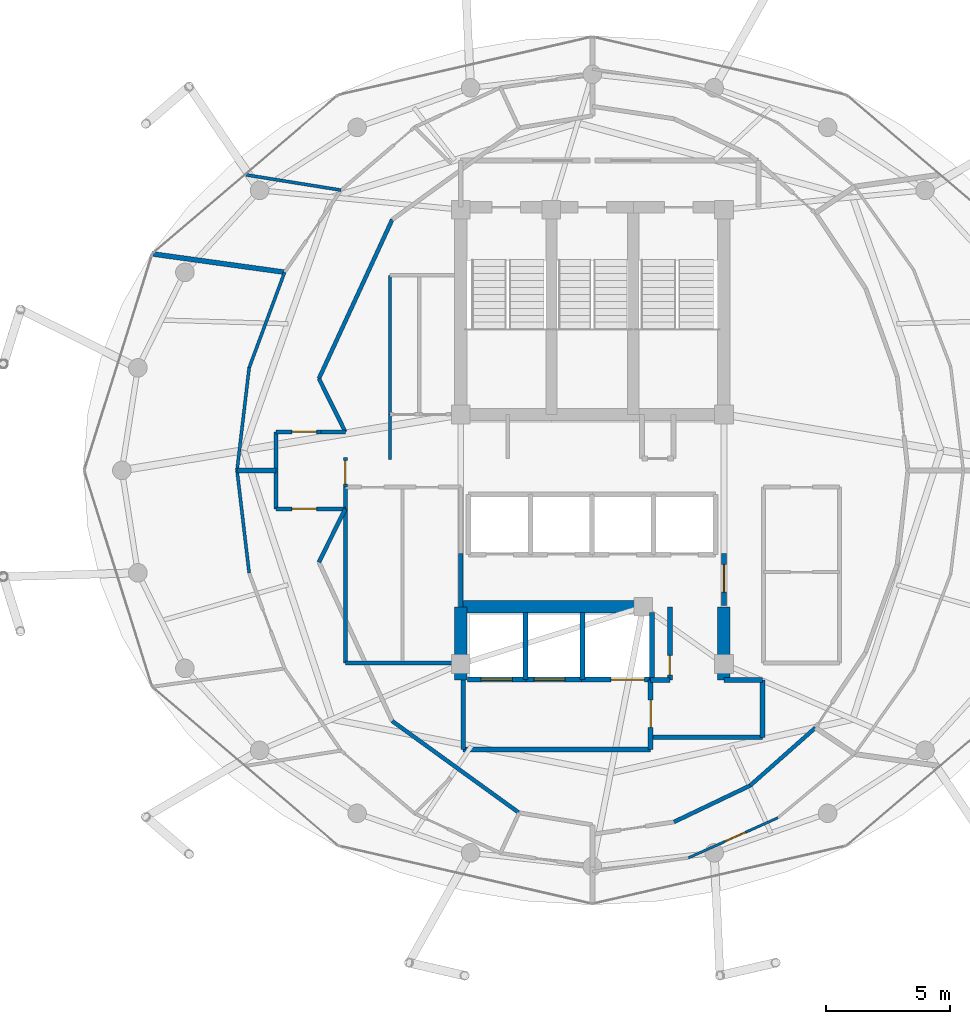
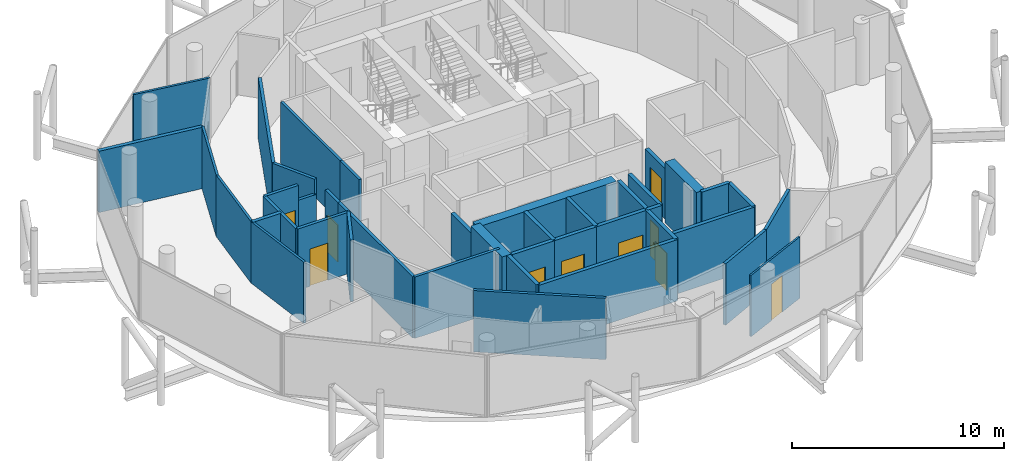
# One storey, part 20 of 24: 41 walls, 10 doors, 10 openings.
"""IFC4 building model written with IfcOpenShell, lengths in metres."""

import ifcopenshell
import ifcopenshell.guid

model = None  # the IFC model being written
_history = None  # IfcOwnerHistory: only IFC2X3 demands one
_inside = {}  # id of a spatial element -> (the spatial element, [elements in it])
_under = {}  # id of a project, library or spatial element -> (it, [spatial elements below it])
_declared = {}  # id of a project -> (the project, [libraries it declares])
_typed = {}  # id of a type object -> (the type object, [elements of that type])
_made_of = {}  # id of a material, layer set ... -> (it, [elements and type objects made of it])


def new_model(schema):
    """Start an empty IFC model of exactly this schema.

    Asked for "IFC4X3", IfcOpenShell would pick the latest addendum, in which some entities
    have other attributes; the version numbers below select the first issue.
    IFC2X3 requires an IfcOwnerHistory on every rooted entity: one is made here for all.
    """
    global model, _history
    if schema == "IFC4X3":
        model = ifcopenshell.file(schema_version=(4, 3, 0, 0))
    else:
        model = ifcopenshell.file(schema=schema)
    _inside.clear()
    _under.clear()
    _declared.clear()
    _typed.clear()
    _made_of.clear()
    _history = None
    if model.schema == "IFC2X3":
        org = make("IfcOrganization", Name="unknown")
        user = make(
            "IfcPersonAndOrganization",
            ThePerson=make("IfcPerson", FamilyName="unknown"),
            TheOrganization=org,
        )
        app = make(
            "IfcApplication",
            ApplicationDeveloper=org,
            Version="unknown",
            ApplicationFullName="unknown",
            ApplicationIdentifier="unknown",
        )
        _history = make(
            "IfcOwnerHistory",
            OwningUser=user,
            OwningApplication=app,
            ChangeAction="ADDED",
            CreationDate=0,
        )
    return model


def make(cls, **values):
    """One entity of the class cls with the attributes given. An attribute that is None is left unset."""
    return model.create_entity(
        cls, **{name: value for name, value in values.items() if value is not None}
    )


def rooted(cls, **values):
    """An entity with a GlobalId (a new one), such as an element, a storey or a relation."""
    return make(cls, GlobalId=ifcopenshell.guid.new(), OwnerHistory=_history, **values)


def si_unit(unit_type, name, prefix=None):
    """IfcSIUnit, for example si_unit("LENGTHUNIT", "METRE", prefix="MILLI")."""
    return make("IfcSIUnit", UnitType=unit_type, Prefix=prefix, Name=name)


def assignment(units):
    """IfcUnitAssignment: the units of a project."""
    return None if units is None else make("IfcUnitAssignment", Units=units)


def point(xyz):
    """IfcCartesianPoint."""
    return None if xyz is None else make("IfcCartesianPoint", Coordinates=xyz)


def direction(xyz):
    """IfcDirection."""
    return None if xyz is None else make("IfcDirection", DirectionRatios=xyz)


def frame(location, z_axis=None, x_axis=None):
    """IfcAxis2Placement3D, a coordinate frame: its origin and axes. An axis left out is left unset."""
    return make(
        "IfcAxis2Placement3D",
        Location=point(location),
        Axis=direction(z_axis),
        RefDirection=direction(x_axis),
    )


def frame_2d(location, x_axis=None):
    """IfcAxis2Placement2D, a coordinate frame in the plane: its origin and x axis."""
    return make(
        "IfcAxis2Placement2D", Location=point(location), RefDirection=direction(x_axis)
    )


def origin():
    """The frame at (0, 0, 0) with its axes left unset."""
    return frame((0.0, 0.0, 0.0))


def place(relative_to, where):
    """IfcLocalPlacement: puts the frame where relative to a parent placement (None: the world)."""
    return make(
        "IfcLocalPlacement", PlacementRelTo=relative_to, RelativePlacement=where
    )


def context(
    kind, dimensions, precision=None, world=None, true_north=None, identifier=None
):
    """IfcGeometricRepresentationContext, for example the 3D "Model" context."""
    return make(
        "IfcGeometricRepresentationContext",
        ContextIdentifier=identifier,
        ContextType=kind,
        CoordinateSpaceDimension=dimensions,
        Precision=precision,
        WorldCoordinateSystem=world,
        TrueNorth=true_north,
    )


def subcontext(parent, identifier, kind, view, scale=None):
    """IfcGeometricRepresentationSubContext, for example "Body" below "Model"."""
    return make(
        "IfcGeometricRepresentationSubContext",
        ContextIdentifier=identifier,
        ContextType=kind,
        ParentContext=parent,
        TargetScale=scale,
        TargetView=view,
    )


def project(units=None, contexts=None):
    """IfcProject with its units and contexts."""
    return rooted(
        "IfcProject",
        Name="project",
        RepresentationContexts=contexts,
        UnitsInContext=assignment(units),
    )


def spatial(cls, under=None, at=None, **own):
    """A site, building, storey or space (cls), placed at a placement, below another one or the project."""
    s = rooted(cls, ObjectPlacement=at, **own)
    if under is not None:
        _under.setdefault(under.id(), (under, []))[1].append(s)
    return s


def profile(cls, at=None, kind="AREA", **sizes):
    """A parametric profile (cls). Its sizes go by their IFC names, for example OverallWidth=200.0."""
    return make(cls, ProfileType=kind, Position=at, **sizes)


def rectangle(**sizes):
    """IfcRectangleProfileDef."""
    return profile("IfcRectangleProfileDef", **sizes)


def extrude(swept, where, along, depth):
    """IfcExtrudedAreaSolid: the profile swept, set in the frame where, extruded along a direction by depth."""
    return make(
        "IfcExtrudedAreaSolid",
        SweptArea=swept,
        Position=where,
        ExtrudedDirection=direction(along),
        Depth=depth,
    )


def shape(context_of_items, identifier, shape_type, items):
    """IfcShapeRepresentation: the items that make up one representation, for example the "Body"."""
    return make(
        "IfcShapeRepresentation",
        ContextOfItems=context_of_items,
        RepresentationIdentifier=identifier,
        RepresentationType=shape_type,
        Items=items,
    )


def material(Name=None, Category=None):
    """IfcMaterial."""
    return make("IfcMaterial", Name=Name, Category=Category)


def layer(
    of_material, thickness, ventilated=None, Name=None, Category=None, Priority=None
):
    """IfcMaterialLayer: one layer of a wall or slab, of a material (None: an air gap)."""
    return make(
        "IfcMaterialLayer",
        Material=of_material,
        LayerThickness=thickness,
        IsVentilated=ventilated,
        Name=Name,
        Category=Category,
        Priority=Priority,
    )


def layer_set(layers, Name=None):
    """IfcMaterialLayerSet."""
    return make("IfcMaterialLayerSet", MaterialLayers=layers, LayerSetName=Name)


def made_of(thing, what):
    """Note that an element or type object is made of a material, layer set ...; save() writes the relation."""
    if what is not None:
        _made_of.setdefault(what.id(), (what, []))[1].append(thing)
    return thing


def type_object(cls, material=None, **own):
    """A type object (cls), such as IfcWallType, which elements share."""
    return made_of(rooted(cls, **own), material)


def element(
    cls,
    number,
    at=None,
    inside=None,
    cuts=None,
    type_object=None,
    material=None,
    context=None,
    identifier="Body",
    shape_type=None,
    held_by="IfcProductDefinitionShape",
    body=None,
    shapes=None,
    **own,
):
    """One element of the class cls, such as IfcWall. Its Tag is "e" and its number.

    at: its placement. inside: the storey or other place that contains it. cuts: it is an
    opening in that element (IfcRelVoidsElement). A single representation is given by context,
    identifier, shape_type and body (its items); several are given by shapes. held_by: the class
    of the entity that holds the representations. save() writes the other relations.
    """
    e = rooted(cls, Tag="e%d" % number, ObjectPlacement=at, **own)
    if body is not None:
        shapes = [shape(context, identifier, shape_type, body)]
    if shapes is not None:
        e.Representation = make(held_by, Representations=shapes)
    if inside is not None:
        _inside.setdefault(inside.id(), (inside, []))[1].append(e)
    if cuts is not None:
        rooted(
            "IfcRelVoidsElement", RelatingBuildingElement=cuts, RelatedOpeningElement=e
        )
    if type_object is not None:
        _typed.setdefault(type_object.id(), (type_object, []))[1].append(e)
    return made_of(e, material)


def fill(opening, filler):
    """IfcRelFillsElement: the door or window that sits in an opening."""
    return rooted(
        "IfcRelFillsElement",
        RelatingOpeningElement=opening,
        RelatedBuildingElement=filler,
    )


def aggregate(whole, parts):
    """IfcRelAggregates: a whole, such as a stair, and the parts it consists of."""
    return rooted("IfcRelAggregates", RelatingObject=whole, RelatedObjects=parts)


def save(model, path):
    """Write the relations noted so far, then the file.

    IfcRelAggregates (storeys below a building ...), IfcRelContainedInSpatialStructure (elements
    in a storey), IfcRelDefinesByType, IfcRelAssociatesMaterial and IfcRelDeclares: one each for
    every whole, place, type object, material and project.
    """
    for whole, parts in _under.values():
        aggregate(whole, parts)
    for where, things in _inside.values():
        rooted(
            "IfcRelContainedInSpatialStructure",
            RelatedElements=things,
            RelatingStructure=where,
        )
    for kind, things in _typed.values():
        rooted("IfcRelDefinesByType", RelatedObjects=things, RelatingType=kind)
    for what, things in _made_of.values():
        rooted("IfcRelAssociatesMaterial", RelatedObjects=things, RelatingMaterial=what)
    for by, libraries in _declared.values():
        rooted("IfcRelDeclares", RelatingContext=by, RelatedDefinitions=libraries)
    model.write(path)


model = new_model("IFC4")

# Units and contexts
model_context = context("Model", 3, precision=1e-05, world=origin(), true_north=direction((0.0, 1.0)))
body_context = subcontext(model_context, "Body", "Model", "MODEL_VIEW")
ifc_project = project(units=[si_unit("LENGTHUNIT", "METRE"), si_unit("AREAUNIT", "SQUARE_METRE"), si_unit("VOLUMEUNIT", "CUBIC_METRE"), si_unit("PLANEANGLEUNIT", "RADIAN"), si_unit("MASSUNIT", "GRAM", prefix="KILO")], contexts=[model_context])

# Site, building, storey
site_placement = place(None, origin())
site = spatial("IfcSite", under=ifc_project, at=site_placement, CompositionType="ELEMENT")
building_placement = place(site_placement, origin())
building = spatial("IfcBuilding", under=site, at=building_placement, Name="Nuhasar Tower", CompositionType="ELEMENT")
storey_placement = place(building_placement, frame((0.0, 0.0, 274.60009765625)))
storey = spatial("IfcBuildingStorey", under=building, at=storey_placement, Name="L68", CompositionType="ELEMENT", Elevation=274.60009765625)

# Walls
ifc_material_1 = material(Name="Concrete C50/60", Category="concrete")
ifc_layer_1 = layer(ifc_material_1, 0.5)
ifc_layer_set_1 = layer_set([ifc_layer_1], Name="Concrete C50/60")
wall_type_1 = type_object("IfcWallType", Name="WL-CORE-500", PredefinedType="SHEAR", material=ifc_layer_set_1)
for number, where, z_axis, x_axis, name in (
    (1, (33.699951171875, 18.35009765625, 0.0), (0.0, 0.0, 1.0), (0.0, 1.0, 0.0), "L68 Core Shear Wall CW-SW CW-500"),
    (2, (44.300048828125, 18.35009765625, 0.0), (0.0, 0.0, 1.0), (0.0, 1.0, 0.0), "L68 Core Shear Wall CW-SE CW-500"),
):
    element("IfcWall", number, at=place(storey_placement, frame(where, z_axis=z_axis, x_axis=x_axis)), inside=storey, type_object=wall_type_1, Name=name, PredefinedType="SHEAR", context=body_context, shape_type="SweptSolid", body=[
        extrude(rectangle(XDim=2.949951171875, YDim=0.5, at=frame_2d((1.47509765625, 0.0))), origin(), (0.0, 0.0, 1.0), 3.539794921875),
    ])
wall_1_placement = place(storey_placement, frame((33.699951171875, 21.300048828125, 0.0), z_axis=(0.0, 0.0, 1.0), x_axis=(1.0, 0.0, 0.0)))
element("IfcWall", 3, at=wall_1_placement, inside=storey, type_object=wall_type_1, Name="L68 Core Shear Wall CW-S1 CW-500", PredefinedType="SHEAR", context=body_context, shape_type="SweptSolid", body=[
    extrude(rectangle(XDim=7.550048828125, YDim=0.5, at=frame_2d((3.77490234375, 0.0))), origin(), (0.0, 0.0, 1.0), 3.539794921875),
])
ifc_material_2 = material(Name="Gypsum Board", Category="gypsum")
ifc_layer_2 = layer(ifc_material_2, 0.159912109375)
ifc_layer_set_2 = layer_set([ifc_layer_2], Name="Gypsum Board")
wall_type_2 = type_object("IfcWallType", Name="WL-CORR-160", PredefinedType="PARTITIONING", material=ifc_layer_set_2)
wall_2_placement = place(storey_placement, frame((29.050048828125, 19.050048828125, 0.0), z_axis=(0.0, 0.0, 1.0), x_axis=(1.0, 0.0, 0.0)))
element("IfcWall", 4, at=wall_2_placement, inside=storey, type_object=wall_type_2, Name="L68 Interior Partition RECL-B1-S", PredefinedType="PARTITIONING", context=body_context, shape_type="SweptSolid", body=[
    extrude(rectangle(XDim=4.64990234375, YDim=0.159912109375, at=frame_2d((2.324951171875, 0.0))), origin(), (0.0, 0.0, 1.0), 3.539794921875),
])
wall_3_placement = place(storey_placement, frame((29.050048828125, 19.050048828125, 0.0), z_axis=(0.0, 0.0, 1.0), x_axis=(0.0, 1.0, 0.0)))
element("IfcWall", 5, at=wall_3_placement, inside=storey, type_object=wall_type_2, Name="L68 Interior Partition RECL-B1-W", PredefinedType="PARTITIONING", context=body_context, shape_type="SweptSolid", body=[
    extrude(rectangle(XDim=7.070068359375, YDim=0.159912109375, at=frame_2d((3.53515625, 0.0))), origin(), (0.0, 0.0, 1.0), 3.539794921875),
])

# Wall, opening, door
wall_4_placement = place(storey_placement, frame((29.050048828125, 26.1201171875, 0.0), z_axis=(0.0, 0.0, 1.0), x_axis=(0.0, 1.0, 0.0)))
wall_4 = element("IfcWall", 6, at=wall_4_placement, inside=storey, type_object=wall_type_2, Name="L68 Interior Partition WVEST-E", PredefinedType="PARTITIONING", context=body_context, shape_type="SweptSolid", body=[
    extrude(rectangle(XDim=1.199951171875, YDim=0.159912109375, at=frame_2d((0.60009765625, 0.0))), origin(), (0.0, 0.0, 1.0), 3.539794921875),
])
opening_1_placement = place(wall_4_placement, frame((0.125, 0.0, 0.0)))
opening_1 = element("IfcOpeningElement", 7, at=opening_1_placement, cuts=wall_4, Name="Opening DO-01", PredefinedType="OPENING", context=body_context, shape_type="SweptSolid", body=[
    extrude(rectangle(XDim=0.949951171875, YDim=2.14990234375, at=frame_2d((0.47509765625, 1.074951171875))), frame((0.0, 0.08984375, 0.0), z_axis=(0.0, -1.0, 0.0), x_axis=(1.0, 0.0, 0.0)), (0.0, 0.0, 1.0), 0.179931640625),
])
ifc_material_3 = material(Name="Timber Oak", Category="wood")
door_type_1 = type_object("IfcDoorType", Name="DR-OFFICE-FD30-950", OperationType="NOTDEFINED", PredefinedType="DOOR", material=ifc_material_3)
door_1_placement = place(opening_1_placement, origin())
door_1 = element("IfcDoor", 8, at=door_1_placement, inside=storey, type_object=door_type_1, Name="L68 West Arrival Foyer Core Door", OperationType="SINGLE_SWING_RIGHT", OverallHeight=2.14990234375, OverallWidth=0.949951171875, PredefinedType="DOOR", context=body_context, shape_type="SweptSolid", body=[
    extrude(rectangle(XDim=0.949951171875, YDim=2.14990234375, at=frame_2d((0.47509765625, 1.074951171875))), frame((0.0, 0.02490234375, 0.0), z_axis=(0.0, -1.0, 0.0), x_axis=(1.0, 0.0, 0.0)), (0.0, 0.0, 1.0), 0.050048828125),
])
fill(opening_1, door_1)

# Walls
wall_5_placement = place(storey_placement, frame((42.2900390625, 12.639892578125, 0.0), z_axis=(0.0, 0.0, 1.0), x_axis=(0.902332393805, 0.431040892596, 0.0)))
element("IfcWall", 9, at=wall_5_placement, inside=storey, type_object=wall_type_2, Name="L68 Interior Partition CORR-38", PredefinedType="PARTITIONING", context=body_context, shape_type="SweptSolid", body=[
    extrude(rectangle(XDim=3.396728515625, YDim=0.159912109375, at=frame_2d((1.6982421875, 0.0))), origin(), (0.0, 0.0, 1.0), 3.539794921875),
])
wall_6_placement = place(storey_placement, frame((45.35498046875, 14.10400390625, 0.0), z_axis=(0.0, 0.0, 1.0), x_axis=(0.748756574311, 0.662845074226, 0.0)))
element("IfcWall", 10, at=wall_6_placement, inside=storey, type_object=wall_type_2, Name="L68 Interior Partition CORR-40", PredefinedType="PARTITIONING", context=body_context, shape_type="SweptSolid", body=[
    extrude(rectangle(XDim=3.515380859375, YDim=0.159912109375, at=frame_2d((1.7578125, 0.0))), origin(), (0.0, 0.0, 1.0), 3.539794921875),
])
wall_7_placement = place(storey_placement, frame((30.93896484375, 36.89697265625, 0.0), z_axis=(0.0, 0.0, 1.0), x_axis=(-0.41866934876, -0.908138742929, 0.0)))
element("IfcWall", 11, at=wall_7_placement, inside=storey, type_object=wall_type_2, Name="L68 Interior Partition UWEST-CORE-N2-18", PredefinedType="PARTITIONING", context=body_context, shape_type="SweptSolid", body=[
    extrude(rectangle(XDim=7.04833984375, YDim=0.159912109375, at=frame_2d((3.524169921875, 0.0))), origin(), (0.0, 0.0, 1.0), 3.539794921875),
])
wall_8_placement = place(storey_placement, frame((30.93896484375, 16.702880859375, 0.0), z_axis=(0.0, 0.0, 1.0), x_axis=(0.810290119061, -0.586028943784, 0.0)))
element("IfcWall", 12, at=wall_8_placement, inside=storey, type_object=wall_type_2, Name="L68 Interior Partition UWEST-CORE-S1-30", PredefinedType="PARTITIONING", context=body_context, shape_type="SweptSolid", body=[
    extrude(rectangle(XDim=6.306396484375, YDim=0.159912109375, at=frame_2d((3.1533203125, 0.0))), origin(), (0.0, 0.0, 1.0), 3.539794921875),
])

# Wall, opening, door
wall_9_placement = place(storey_placement, frame((26.25, 28.35009765625, 0.0), z_axis=(0.0, 0.0, 1.0), x_axis=(1.0, 0.0, 0.0)))
wall_9 = element("IfcWall", 13, at=wall_9_placement, inside=storey, type_object=wall_type_2, Name="L68 Interior Partition WVEST-N", PredefinedType="PARTITIONING", context=body_context, shape_type="SweptSolid", body=[
    extrude(rectangle(XDim=1.820068359375, YDim=0.159912109375, at=frame_2d((0.91015625, 0.0))), origin(), (0.0, 0.0, 1.0), 3.539794921875),
])
opening_2_placement = place(wall_9_placement, frame((0.64990234375, 0.0, 0.0)))
opening_2 = element("IfcOpeningElement", 14, at=opening_2_placement, cuts=wall_9, Name="Opening DU-02", PredefinedType="OPENING", context=body_context, shape_type="SweptSolid", body=[
    extrude(rectangle(XDim=1.0, YDim=2.14990234375, at=frame_2d((0.5, 1.074951171875))), frame((0.0, 0.08984375, 0.0), z_axis=(0.0, -1.0, 0.0), x_axis=(1.0, 0.0, 0.0)), (0.0, 0.0, 1.0), 0.179931640625),
])
door_type_2 = type_object("IfcDoorType", Name="DR-FLAT-FD60-1000", OperationType="NOTDEFINED", PredefinedType="DOOR", material=ifc_material_3)
door_2_placement = place(opening_2_placement, origin())
door_2 = element("IfcDoor", 15, at=door_2_placement, inside=storey, type_object=door_type_2, Name="L68 North-West Sky Home Entrance", OperationType="SINGLE_SWING_LEFT", OverallHeight=2.14990234375, OverallWidth=1.0, PredefinedType="DOOR", context=body_context, shape_type="SweptSolid", body=[
    extrude(rectangle(XDim=1.0, YDim=2.14990234375, at=frame_2d((0.5, 1.074951171875))), frame((0.0, 0.02490234375, 0.0), z_axis=(0.0, -1.0, 0.0), x_axis=(1.0, 0.0, 0.0)), (0.0, 0.0, 1.0), 0.050048828125),
])
fill(opening_2, door_2)

# Wall
wall_10_placement = place(storey_placement, frame((28.070068359375, 28.35009765625, 0.0), z_axis=(0.0, 0.0, 1.0), x_axis=(1.0, 0.0, 0.0)))
element("IfcWall", 16, at=wall_10_placement, inside=storey, type_object=wall_type_2, Name="L68 Interior Partition WVEST-N", PredefinedType="PARTITIONING", context=body_context, shape_type="SweptSolid", body=[
    extrude(rectangle(XDim=0.97998046875, YDim=0.159912109375, at=frame_2d((0.489990234375, 0.0))), origin(), (0.0, 0.0, 1.0), 2.679931640625),
])

# Wall, opening, door
wall_11_placement = place(storey_placement, frame((26.25, 25.25, 0.0), z_axis=(0.0, 0.0, 1.0), x_axis=(1.0, 0.0, 0.0)))
wall_11 = element("IfcWall", 17, at=wall_11_placement, inside=storey, type_object=wall_type_2, Name="L68 Interior Partition WVEST-S", PredefinedType="PARTITIONING", context=body_context, shape_type="SweptSolid", body=[
    extrude(rectangle(XDim=2.800048828125, YDim=0.159912109375, at=frame_2d((1.39990234375, 0.0))), origin(), (0.0, 0.0, 1.0), 3.539794921875),
])
opening_3_placement = place(wall_11_placement, frame((0.64990234375, 0.0, 0.0)))
opening_3 = element("IfcOpeningElement", 18, at=opening_3_placement, cuts=wall_11, Name="Opening DU-02", PredefinedType="OPENING", context=body_context, shape_type="SweptSolid", body=[
    extrude(rectangle(XDim=1.0, YDim=2.14990234375, at=frame_2d((0.5, 1.074951171875))), frame((0.0, 0.08984375, 0.0), z_axis=(0.0, -1.0, 0.0), x_axis=(1.0, 0.0, 0.0)), (0.0, 0.0, 1.0), 0.179931640625),
])
door_3_placement = place(opening_3_placement, origin())
door_3 = element("IfcDoor", 19, at=door_3_placement, inside=storey, type_object=door_type_2, Name="L68 South-West Sky Home Entrance", OperationType="SINGLE_SWING_LEFT", OverallHeight=2.14990234375, OverallWidth=1.0, PredefinedType="DOOR", context=body_context, shape_type="SweptSolid", body=[
    extrude(rectangle(XDim=1.0, YDim=2.14990234375, at=frame_2d((0.5, 1.074951171875))), frame((0.0, 0.02490234375, 0.0), z_axis=(0.0, -1.0, 0.0), x_axis=(1.0, 0.0, 0.0)), (0.0, 0.0, 1.0), 0.050048828125),
])
fill(opening_3, door_3)

# Walls
wall_12_placement = place(storey_placement, frame((26.25, 25.25, 0.0), z_axis=(0.0, 0.0, 1.0), x_axis=(0.0, 1.0, 0.0)))
element("IfcWall", 20, at=wall_12_placement, inside=storey, type_object=wall_type_2, Name="L68 Interior Partition WVEST-W", PredefinedType="PARTITIONING", context=body_context, shape_type="SweptSolid", body=[
    extrude(rectangle(XDim=3.10009765625, YDim=0.159912109375, at=frame_2d((1.550048828125, 0.0))), origin(), (0.0, 0.0, 1.0), 3.539794921875),
])
for number, where, z_axis, x_axis, name in (
    (21, (27.988037109375, 30.49609375, 0.0), (0.0, 0.0, 1.0), (0.443539160525, -0.896254993337, 0.0), "L68 Interior Partition WVEST-CN"),
    (22, (27.988037109375, 23.10400390625, 0.0), (0.0, 0.0, 1.0), (0.443539160525, 0.896254993337, 0.0), "L68 Interior Partition WVEST-CS"),
):
    element("IfcWall", number, at=place(storey_placement, frame(where, z_axis=z_axis, x_axis=x_axis)), inside=storey, type_object=wall_type_2, Name=name, PredefinedType="PARTITIONING", context=body_context, shape_type="SweptSolid", body=[
        extrude(rectangle(XDim=2.394287109375, YDim=0.159912109375, at=frame_2d((1.197265625, 0.0))), origin(), (0.0, 0.0, 1.0), 3.539794921875),
    ])
ifc_material_4 = material(Name="Concrete C45/55", Category="concrete")
ifc_layer_3 = layer(ifc_material_4, 0.199951171875)
ifc_layer_set_3 = layer_set([ifc_layer_3], Name="Concrete C45/55")
wall_type_3 = type_object("IfcWallType", Name="WL-LOBBY-200", PredefinedType="SOLIDWALL", material=ifc_layer_set_3)
wall_13_placement = place(storey_placement, frame((33.699951171875, 21.300048828125, 0.0), z_axis=(0.0, 0.0, 1.0), x_axis=(0.0, 1.0, 0.0)))
element("IfcWall", 23, at=wall_13_placement, inside=storey, type_object=wall_type_3, Name="L68 Interior Partition LLBH-W", PredefinedType="SOLIDWALL", context=body_context, shape_type="SweptSolid", body=[
    extrude(rectangle(XDim=2.14990234375, YDim=0.199951171875, at=frame_2d((1.074951171875, 0.0))), origin(), (0.0, 0.0, 1.0), 2.9248046875),
])

# Wall, opening, door
wall_14_placement = place(storey_placement, frame((44.300048828125, 21.35009765625, 0.0), z_axis=(0.0, 0.0, 1.0), x_axis=(0.0, 1.0, 0.0)))
wall_14 = element("IfcWall", 24, at=wall_14_placement, inside=storey, type_object=wall_type_3, Name="L68 Interior Partition LLBH-E", PredefinedType="SOLIDWALL", context=body_context, shape_type="SweptSolid", body=[
    extrude(rectangle(XDim=2.099853515625, YDim=0.199951171875, at=frame_2d((1.0498046875, 0.0))), origin(), (0.0, 0.0, 1.0), 2.9248046875),
])
opening_4_placement = place(wall_14_placement, frame((0.550048828125, 0.0, 0.0)))
opening_4 = element("IfcOpeningElement", 25, at=opening_4_placement, cuts=wall_14, Name="Opening DS-02", PredefinedType="OPENING", context=body_context, shape_type="SweptSolid", body=[
    extrude(rectangle(XDim=1.10009765625, YDim=2.14990234375, at=frame_2d((0.550048828125, 1.074951171875))), frame((0.0, 0.10986328125, 0.0), z_axis=(0.0, -1.0, 0.0), x_axis=(1.0, 0.0, 0.0)), (0.0, 0.0, 1.0), 0.219970703125),
])
ifc_material_5 = material(Name="Steel S355", Category="steel")
door_type_3 = type_object("IfcDoorType", Name="DR-FFL-FD120-1100", OperationType="NOTDEFINED", PredefinedType="DOOR", material=ifc_material_5)
door_4_placement = place(opening_4_placement, origin())
door_4 = element("IfcDoor", 26, at=door_4_placement, inside=storey, type_object=door_type_3, Name="L68 High-Rise Lobby East Door", OperationType="SINGLE_SWING_RIGHT", OverallHeight=2.14990234375, OverallWidth=1.10009765625, PredefinedType="DOOR", context=body_context, shape_type="SweptSolid", body=[
    extrude(rectangle(XDim=1.10009765625, YDim=2.14990234375, at=frame_2d((0.550048828125, 1.074951171875))), frame((0.0, 0.02490234375, 0.0), z_axis=(0.0, -1.0, 0.0), x_axis=(1.0, 0.0, 0.0)), (0.0, 0.0, 1.0), 0.050048828125),
])
fill(opening_4, door_4)

# Walls
wall_15_placement = place(storey_placement, frame((33.800048828125, 15.550048828125, 0.0), z_axis=(0.0, 0.0, 1.0), x_axis=(1.0, 0.0, 0.0)))
element("IfcWall", 27, at=wall_15_placement, inside=storey, type_object=wall_type_3, Name="L68 Interior Partition FFL-S", PredefinedType="SOLIDWALL", context=body_context, shape_type="SweptSolid", body=[
    extrude(rectangle(XDim=7.550048828125, YDim=0.199951171875, at=frame_2d((3.77490234375, 0.0))), origin(), (0.0, 0.0, 1.0), 3.539794921875),
])
wall_16_placement = place(storey_placement, frame((33.800048828125, 15.550048828125, 0.0), z_axis=(0.0, 0.0, 1.0), x_axis=(0.0, 1.0, 0.0)))
element("IfcWall", 28, at=wall_16_placement, inside=storey, type_object=wall_type_3, Name="L68 Interior Partition FFL-W", PredefinedType="SOLIDWALL", context=body_context, shape_type="SweptSolid", body=[
    extrude(rectangle(XDim=2.800048828125, YDim=0.199951171875, at=frame_2d((1.39990234375, 0.0))), origin(), (0.0, 0.0, 1.0), 3.539794921875),
])

# Wall, opening, door
wall_17_placement = place(storey_placement, frame((41.35009765625, 15.550048828125, 0.0), z_axis=(0.0, 0.0, 1.0), x_axis=(0.0, 1.0, 0.0)))
wall_17 = element("IfcWall", 29, at=wall_17_placement, inside=storey, type_object=wall_type_3, Name="L68 Interior Partition FFL-E", PredefinedType="SOLIDWALL", context=body_context, shape_type="SweptSolid", body=[
    extrude(rectangle(XDim=2.800048828125, YDim=0.199951171875, at=frame_2d((1.39990234375, 0.0))), origin(), (0.0, 0.0, 1.0), 3.539794921875),
])
opening_5_placement = place(wall_17_placement, frame((0.89990234375, 0.0, 0.0)))
opening_5 = element("IfcOpeningElement", 30, at=opening_5_placement, cuts=wall_17, Name="Opening DS-02", PredefinedType="OPENING", context=body_context, shape_type="SweptSolid", body=[
    extrude(rectangle(XDim=1.10009765625, YDim=2.14990234375, at=frame_2d((0.550048828125, 1.074951171875))), frame((0.0, 0.10986328125, 0.0), z_axis=(0.0, -1.0, 0.0), x_axis=(1.0, 0.0, 0.0)), (0.0, 0.0, 1.0), 0.219970703125),
])
door_5_placement = place(opening_5_placement, origin())
door_5 = element("IfcDoor", 31, at=door_5_placement, inside=storey, type_object=door_type_3, Name="L68 Firefighting Lobby Door", OperationType="SINGLE_SWING_RIGHT", OverallHeight=2.14990234375, OverallWidth=1.10009765625, PredefinedType="DOOR", context=body_context, shape_type="SweptSolid", body=[
    extrude(rectangle(XDim=1.10009765625, YDim=2.14990234375, at=frame_2d((0.550048828125, 1.074951171875))), frame((0.0, 0.02490234375, 0.0), z_axis=(0.0, -1.0, 0.0), x_axis=(1.0, 0.0, 0.0)), (0.0, 0.0, 1.0), 0.050048828125),
])
fill(opening_5, door_5)

# Walls
wall_18_placement = place(storey_placement, frame((41.35009765625, 16.050048828125, 0.0), z_axis=(0.0, 0.0, 1.0), x_axis=(1.0, 0.0, 0.0)))
element("IfcWall", 32, at=wall_18_placement, inside=storey, type_object=wall_type_3, Name="L68 Interior Partition SVLV-S", PredefinedType="SOLIDWALL", context=body_context, shape_type="SweptSolid", body=[
    extrude(rectangle(XDim=4.5, YDim=0.199951171875, at=frame_2d((2.25, 0.0))), origin(), (0.0, 0.0, 1.0), 3.539794921875),
])
wall_19_placement = place(storey_placement, frame((45.85009765625, 16.050048828125, 0.0), z_axis=(0.0, 0.0, 1.0), x_axis=(0.0, 1.0, 0.0)))
element("IfcWall", 33, at=wall_19_placement, inside=storey, type_object=wall_type_3, Name="L68 Interior Partition SVLV-E", PredefinedType="SOLIDWALL", context=body_context, shape_type="SweptSolid", body=[
    extrude(rectangle(XDim=2.300048828125, YDim=0.199951171875, at=frame_2d((1.14990234375, 0.0))), origin(), (0.0, 0.0, 1.0), 3.539794921875),
])
wall_20_placement = place(storey_placement, frame((44.300048828125, 18.35009765625, 0.0), z_axis=(0.0, 0.0, 1.0), x_axis=(1.0, 0.0, 0.0)))
element("IfcWall", 34, at=wall_20_placement, inside=storey, type_object=wall_type_3, Name="L68 Interior Partition SVLV-N", PredefinedType="SOLIDWALL", context=body_context, shape_type="SweptSolid", body=[
    extrude(rectangle(XDim=1.550048828125, YDim=0.199951171875, at=frame_2d((0.77490234375, 0.0))), origin(), (0.0, 0.0, 1.0), 3.539794921875),
])

# Wall, opening, door
ifc_material_6 = material(Name="Aluminium 6063-T6", Category="aluminium")
ifc_layer_4 = layer(ifc_material_6, 0.10009765625)
ifc_layer_set_4 = layer_set([ifc_layer_4], Name="Aluminium 6063-T6")
wall_type_4 = type_object("IfcWallType", Name="WL-MOVABLE-100", PredefinedType="MOVABLE", material=ifc_layer_set_4)
wall_21_placement = place(storey_placement, frame((42.866943359375, 11.19091796875, 0.0), z_axis=(0.0, 0.0, 1.0), x_axis=(0.912616745569, 0.408816188166, 0.0)))
wall_21 = element("IfcWall", 35, at=wall_21_placement, inside=storey, type_object=wall_type_4, Name="L68 Interior Partition UMID5-01-38", PredefinedType="MOVABLE", context=body_context, shape_type="SweptSolid", body=[
    extrude(rectangle(XDim=3.947998046875, YDim=0.10009765625, at=frame_2d((1.97412109375, 0.0))), origin(), (0.0, 0.0, 1.0), 3.539794921875),
])
opening_6_placement = place(wall_21_placement, frame((1.6259765625, 0.0, 0.0)))
opening_6 = element("IfcOpeningElement", 36, at=opening_6_placement, cuts=wall_21, Name="Opening DR-01", PredefinedType="OPENING", context=body_context, shape_type="SweptSolid", body=[
    extrude(rectangle(XDim=0.89990234375, YDim=2.10009765625, at=frame_2d((0.449951171875, 1.050048828125))), frame((0.0, 0.06005859375, 0.0), z_axis=(0.0, -1.0, 0.0), x_axis=(1.0, 0.0, 0.0)), (0.0, 0.0, 1.0), 0.1201171875),
])
door_type_4 = type_object("IfcDoorType", Name="DR-ROOM-900", OperationType="NOTDEFINED", PredefinedType="DOOR", material=ifc_material_3)
door_6_placement = place(opening_6_placement, origin())
door_6 = element("IfcDoor", 37, at=door_6_placement, inside=storey, type_object=door_type_4, Name="L68 Private Chancellery Office 1 Inner Door", OperationType="SINGLE_SWING_RIGHT", OverallHeight=2.10009765625, OverallWidth=0.89990234375, PredefinedType="DOOR", context=body_context, shape_type="SweptSolid", body=[
    extrude(rectangle(XDim=0.89990234375, YDim=2.10009765625, at=frame_2d((0.449951171875, 1.050048828125))), frame((0.0, 0.02490234375, 0.0), z_axis=(0.0, -1.0, 0.0), x_axis=(1.0, 0.0, 0.0)), (0.0, 0.0, 1.0), 0.050048828125),
])
fill(opening_6, door_6)

# Walls
ifc_layer_5 = layer(ifc_material_2, 0.125)
ifc_layer_set_5 = layer_set([ifc_layer_5], Name="Gypsum Board")
wall_type_5 = type_object("IfcWallType", Name="WL-PART-125", PredefinedType="PARTITIONING", material=ifc_layer_set_5)
wall_22_placement = place(storey_placement, frame((26.60693359375, 34.780029296875, 0.0), z_axis=(0.0, 0.0, 1.0), x_axis=(-0.348032750503, -0.937482375609, 0.0)))
element("IfcWall", 38, at=wall_22_placement, inside=storey, type_object=wall_type_5, Name="L68 Interior Partition USM-1-D-20", PredefinedType="PARTITIONING", context=body_context, shape_type="SweptSolid", body=[
    extrude(rectangle(XDim=4.105712890625, YDim=0.125, at=frame_2d((2.052734375, 0.0))), origin(), (0.0, 0.0, 1.0), 3.539794921875),
])
wall_23_placement = place(storey_placement, frame((25.177978515625, 30.930908203125, 0.0), z_axis=(0.0, 0.0, 1.0), x_axis=(-0.117328208879, -0.993093193714, 0.0)))
element("IfcWall", 39, at=wall_23_placement, inside=storey, type_object=wall_type_5, Name="L68 Interior Partition USM-1-D-22", PredefinedType="PARTITIONING", context=body_context, shape_type="SweptSolid", body=[
    extrude(rectangle(XDim=4.15966796875, YDim=0.125, at=frame_2d((2.079833984375, 0.0))), origin(), (0.0, 0.0, 1.0), 3.539794921875),
])
wall_24_placement = place(storey_placement, frame((28.881103515625, 38.0849609375, 0.0), z_axis=(0.0, 0.0, 1.0), x_axis=(-0.987319807671, 0.158743810525, 0.0)))
element("IfcWall", 40, at=wall_24_placement, inside=storey, type_object=wall_type_5, Name="L68 Interior Partition USO-1-BD", PredefinedType="PARTITIONING", context=body_context, shape_type="SweptSolid", body=[
    extrude(rectangle(XDim=3.88037109375, YDim=0.125, at=frame_2d((1.940185546875, 0.0))), origin(), (0.0, 0.0, 1.0), 3.539794921875),
])
wall_25_placement = place(storey_placement, frame((24.68994140625, 26.800048828125, 0.0), z_axis=(0.0, 0.0, 1.0), x_axis=(0.11732137044, -0.993094001612, 0.0)))
element("IfcWall", 41, at=wall_25_placement, inside=storey, type_object=wall_type_5, Name="L68 Interior Partition USM-2-D-24", PredefinedType="PARTITIONING", context=body_context, shape_type="SweptSolid", body=[
    extrude(rectangle(XDim=4.159912109375, YDim=0.125, at=frame_2d((2.080078125, 0.0))), origin(), (0.0, 0.0, 1.0), 3.539794921875),
])

# Wall, opening, door
ifc_layer_6 = layer(ifc_material_4, 0.199951171875)
ifc_layer_set_6 = layer_set([ifc_layer_6], Name="Concrete C45/55")
wall_type_6 = type_object("IfcWallType", Name="WL-SHAFT-200", PredefinedType="SOLIDWALL", material=ifc_layer_set_6)
wall_26_placement = place(storey_placement, frame((33.969970703125, 18.3701171875, 0.0), z_axis=(0.0, 0.0, 1.0), x_axis=(1.0, 0.0, 0.0)))
wall_26 = element("IfcWall", 42, at=wall_26_placement, inside=storey, type_object=wall_type_6, Name="L68 Interior Partition SHF-FFL-01-S", PredefinedType="SOLIDWALL", context=body_context, shape_type="SweptSolid", body=[
    extrude(rectangle(XDim=2.360107421875, YDim=0.199951171875, at=frame_2d((1.18017578125, 0.0))), origin(), (0.0, 0.0, 1.0), 3.539794921875),
])
opening_7_placement = place(wall_26_placement, frame((0.554931640625, 0.0, 0.0)))
opening_7 = element("IfcOpeningElement", 43, at=opening_7_placement, cuts=wall_26, Name="Opening LD-F01", PredefinedType="OPENING", context=body_context, shape_type="SweptSolid", body=[
    extrude(rectangle(XDim=1.25, YDim=2.199951171875, at=frame_2d((0.625, 1.10009765625))), frame((0.0, 0.10986328125, 0.0), z_axis=(0.0, -1.0, 0.0), x_axis=(1.0, 0.0, 0.0)), (0.0, 0.0, 1.0), 0.219970703125),
])
ifc_material_7 = material(Name="Stainless Steel 316L", Category="steel")
door_type_5 = type_object("IfcDoorType", Name="LD-FFL-1250", OperationType="DOUBLE_DOOR_SLIDING", PredefinedType="DOOR", material=ifc_material_7)
door_7_placement = place(opening_7_placement, origin())
door_7 = element("IfcDoor", 44, at=door_7_placement, inside=storey, type_object=door_type_5, Name="L68 Lift Landing Door FFL-01", OperationType="DOUBLE_DOOR_SLIDING", OverallHeight=2.199951171875, OverallWidth=1.25, PredefinedType="DOOR", context=body_context, shape_type="SweptSolid", body=[
    extrude(rectangle(XDim=1.25, YDim=2.199951171875, at=frame_2d((0.625, 1.10009765625))), frame((0.0, 0.02490234375, 0.0), z_axis=(0.0, -1.0, 0.0), x_axis=(1.0, 0.0, 0.0)), (0.0, 0.0, 1.0), 0.050048828125),
])
fill(opening_7, door_7)

# Wall
wall_27_placement = place(storey_placement, frame((36.300048828125, 18.3701171875, 0.0), z_axis=(0.0, 0.0, 1.0), x_axis=(0.0, 1.0, 0.0)))
element("IfcWall", 45, at=wall_27_placement, inside=storey, type_object=wall_type_6, Name="L68 Interior Partition SHF-FFL-01-E", PredefinedType="SOLIDWALL", context=body_context, shape_type="SweptSolid", body=[
    extrude(rectangle(XDim=2.7099609375, YDim=0.199951171875, at=frame_2d((1.35498046875, 0.0))), origin(), (0.0, 0.0, 1.0), 3.539794921875),
])

# Wall, opening, door
wall_28_placement = place(storey_placement, frame((36.27001953125, 18.3701171875, 0.0), z_axis=(0.0, 0.0, 1.0), x_axis=(1.0, 0.0, 0.0)))
wall_28 = element("IfcWall", 46, at=wall_28_placement, inside=storey, type_object=wall_type_6, Name="L68 Interior Partition SHF-FFL-02-S", PredefinedType="SOLIDWALL", context=body_context, shape_type="SweptSolid", body=[
    extrude(rectangle(XDim=2.35986328125, YDim=0.199951171875, at=frame_2d((1.179931640625, 0.0))), origin(), (0.0, 0.0, 1.0), 3.539794921875),
])
opening_8_placement = place(wall_28_placement, frame((0.3798828125, 0.0, 0.0)))
opening_8 = element("IfcOpeningElement", 47, at=opening_8_placement, cuts=wall_28, Name="Opening LD-F02", PredefinedType="OPENING", context=body_context, shape_type="SweptSolid", body=[
    extrude(rectangle(XDim=1.25, YDim=2.199951171875, at=frame_2d((0.625, 1.10009765625))), frame((0.0, 0.10986328125, 0.0), z_axis=(0.0, -1.0, 0.0), x_axis=(1.0, 0.0, 0.0)), (0.0, 0.0, 1.0), 0.219970703125),
])
door_8_placement = place(opening_8_placement, origin())
door_8 = element("IfcDoor", 48, at=door_8_placement, inside=storey, type_object=door_type_5, Name="L68 Lift Landing Door FFL-02", OperationType="DOUBLE_DOOR_SLIDING", OverallHeight=2.199951171875, OverallWidth=1.25, PredefinedType="DOOR", context=body_context, shape_type="SweptSolid", body=[
    extrude(rectangle(XDim=1.25, YDim=2.199951171875, at=frame_2d((0.625, 1.10009765625))), frame((0.0, 0.02490234375, 0.0), z_axis=(0.0, -1.0, 0.0), x_axis=(1.0, 0.0, 0.0)), (0.0, 0.0, 1.0), 0.050048828125),
])
fill(opening_8, door_8)

# Wall
wall_29_placement = place(storey_placement, frame((38.60009765625, 18.3701171875, 0.0), z_axis=(0.0, 0.0, 1.0), x_axis=(0.0, 1.0, 0.0)))
element("IfcWall", 49, at=wall_29_placement, inside=storey, type_object=wall_type_6, Name="L68 Interior Partition SHF-FFL-02-E", PredefinedType="SOLIDWALL", context=body_context, shape_type="SweptSolid", body=[
    extrude(rectangle(XDim=2.7099609375, YDim=0.199951171875, at=frame_2d((1.35498046875, 0.0))), origin(), (0.0, 0.0, 1.0), 3.539794921875),
])

# Wall, opening, door
wall_30_placement = place(storey_placement, frame((38.570068359375, 18.3701171875, 0.0), z_axis=(0.0, 0.0, 1.0), x_axis=(1.0, 0.0, 0.0)))
wall_30 = element("IfcWall", 50, at=wall_30_placement, inside=storey, type_object=wall_type_6, Name="L68 Interior Partition SHF-SVL-01-S", PredefinedType="SOLIDWALL", context=body_context, shape_type="SweptSolid", body=[
    extrude(rectangle(XDim=2.829833984375, YDim=0.199951171875, at=frame_2d((1.4150390625, 0.0))), origin(), (0.0, 0.0, 1.0), 3.539794921875),
])
opening_9_placement = place(wall_30_placement, frame((1.179931640625, 0.0, 0.0)))
opening_9 = element("IfcOpeningElement", 51, at=opening_9_placement, cuts=wall_30, Name="Opening LD-S01", PredefinedType="OPENING", context=body_context, shape_type="SweptSolid", body=[
    extrude(rectangle(XDim=1.35009765625, YDim=2.179931640625, at=frame_2d((0.675048828125, 1.08984375))), frame((0.0, 0.10986328125, 0.0), z_axis=(0.0, -1.0, 0.0), x_axis=(1.0, 0.0, 0.0)), (0.0, 0.0, 1.0), 0.219970703125),
])
door_type_6 = type_object("IfcDoorType", Name="LD-SVL-1350", OperationType="DOUBLE_DOOR_SLIDING", PredefinedType="DOOR", material=ifc_material_7)
door_9_placement = place(opening_9_placement, origin())
door_9 = element("IfcDoor", 52, at=door_9_placement, inside=storey, type_object=door_type_6, Name="L68 Lift Landing Door SVL-01", OperationType="DOUBLE_DOOR_SLIDING", OverallHeight=2.179931640625, OverallWidth=1.35009765625, PredefinedType="DOOR", context=body_context, shape_type="SweptSolid", body=[
    extrude(rectangle(XDim=1.35009765625, YDim=2.179931640625, at=frame_2d((0.675048828125, 1.08984375))), frame((0.0, 0.02490234375, 0.0), z_axis=(0.0, -1.0, 0.0), x_axis=(1.0, 0.0, 0.0)), (0.0, 0.0, 1.0), 0.050048828125),
])
fill(opening_9, door_9)

# Wall
wall_31_placement = place(storey_placement, frame((41.39990234375, 18.3701171875, 0.0), z_axis=(0.0, 0.0, 1.0), x_axis=(0.0, 1.0, 0.0)))
element("IfcWall", 53, at=wall_31_placement, inside=storey, type_object=wall_type_6, Name="L68 Interior Partition SHF-SVL-01-E", PredefinedType="SOLIDWALL", context=body_context, shape_type="SweptSolid", body=[
    extrude(rectangle(XDim=2.7099609375, YDim=0.199951171875, at=frame_2d((1.35498046875, 0.0))), origin(), (0.0, 0.0, 1.0), 3.539794921875),
])

# Wall, opening, door
wall_32_placement = place(storey_placement, frame((42.1201171875, 18.35009765625, 0.0), z_axis=(0.0, 0.0, 1.0), x_axis=(0.0, 1.0, 0.0)))
wall_32 = element("IfcWall", 54, at=wall_32_placement, inside=storey, type_object=wall_type_6, Name="L68 Interior Partition RSR-E", PredefinedType="SOLIDWALL", context=body_context, shape_type="SweptSolid", body=[
    extrude(rectangle(XDim=2.949951171875, YDim=0.199951171875, at=frame_2d((1.47509765625, 0.0))), origin(), (0.0, 0.0, 1.0), 3.539794921875),
])
opening_10_placement = place(wall_32_placement, frame((0.199951171875, 0.0, 0.0)))
opening_10 = element("IfcOpeningElement", 55, at=opening_10_placement, cuts=wall_32, Name="Opening DM-01", PredefinedType="OPENING", context=body_context, shape_type="SweptSolid", body=[
    extrude(rectangle(XDim=0.800048828125, YDim=2.050048828125, at=frame_2d((0.39990234375, 1.02490234375))), frame((0.0, 0.10986328125, 0.0), z_axis=(0.0, -1.0, 0.0), x_axis=(1.0, 0.0, 0.0)), (0.0, 0.0, 1.0), 0.219970703125),
])
door_type_7 = type_object("IfcDoorType", Name="DR-RISER-FD60-800", OperationType="NOTDEFINED", PredefinedType="DOOR", material=ifc_material_5)
door_10_placement = place(opening_10_placement, origin())
door_10 = element("IfcDoor", 56, at=door_10_placement, inside=storey, type_object=door_type_7, Name="L68 MEP Riser Access Door", OperationType="SINGLE_SWING_LEFT", OverallHeight=2.050048828125, OverallWidth=0.800048828125, PredefinedType="DOOR", context=body_context, shape_type="SweptSolid", body=[
    extrude(rectangle(XDim=0.800048828125, YDim=2.050048828125, at=frame_2d((0.39990234375, 1.02490234375))), frame((0.0, 0.02490234375, 0.0), z_axis=(0.0, -1.0, 0.0), x_axis=(1.0, 0.0, 0.0)), (0.0, 0.0, 1.0), 0.050048828125),
])
fill(opening_10, door_10)

# Walls
wall_33_placement = place(storey_placement, frame((41.35009765625, 18.35009765625, 0.0), z_axis=(0.0, 0.0, 1.0), x_axis=(1.0, 0.0, 0.0)))
element("IfcWall", 57, at=wall_33_placement, inside=storey, type_object=wall_type_6, Name="L68 Interior Partition RSR-S", PredefinedType="SOLIDWALL", context=body_context, shape_type="SweptSolid", body=[
    extrude(rectangle(XDim=0.77001953125, YDim=0.199951171875, at=frame_2d((0.385009765625, 0.0))), origin(), (0.0, 0.0, 1.0), 3.539794921875),
])
ifc_material_8 = material(Name="Concrete C40/50 precast", Category="concrete")
ifc_layer_7 = layer(ifc_material_8, 0.199951171875)
ifc_layer_set_7 = layer_set([ifc_layer_7], Name="Concrete C40/50 precast")
wall_type_7 = type_object("IfcWallType", Name="WL-UNIT-200", PredefinedType="PARTITIONING", material=ifc_layer_set_7)
wall_34_placement = place(storey_placement, frame((26.25, 26.800048828125, 0.0), z_axis=(0.0, 0.0, 1.0), x_axis=(-1.0, 0.0, 0.0)))
element("IfcWall", 58, at=wall_34_placement, inside=storey, type_object=wall_type_7, Name="L68 Interior Partition UWEST-PARTY-IN", PredefinedType="PARTITIONING", context=body_context, shape_type="SweptSolid", body=[
    extrude(rectangle(XDim=1.56005859375, YDim=0.199951171875, at=frame_2d((0.780029296875, 0.0))), origin(), (0.0, 0.0, 1.0), 3.539794921875),
])
wall_35_placement = place(storey_placement, frame((26.60693359375, 34.780029296875, 0.0), z_axis=(0.0, 0.0, 1.0), x_axis=(-0.99055921799, 0.137085504905, 0.0)))
element("IfcWall", 59, at=wall_35_placement, inside=storey, type_object=wall_type_7, Name="L68 Interior Partition UWEST-PARTY-OUT", PredefinedType="PARTITIONING", context=body_context, shape_type="SweptSolid", body=[
    extrude(rectangle(XDim=5.346435546875, YDim=0.199951171875, at=frame_2d((2.67333984375, 0.0))), origin(), (0.0, 0.0, 1.0), 3.539794921875),
])
ifc_layer_8 = layer(ifc_material_8, 0.139892578125)
ifc_layer_set_8 = layer_set([ifc_layer_8], Name="Concrete C40/50 precast")
wall_type_8 = type_object("IfcWallType", Name="WL-WET-140", PredefinedType="PARTITIONING", material=ifc_layer_set_8)
wall_36_placement = place(storey_placement, frame((30.85009765625, 27.239990234375, 0.0), z_axis=(0.0, 0.0, 1.0), x_axis=(0.0, 1.0, 0.0)))
element("IfcWall", 60, at=wall_36_placement, inside=storey, type_object=wall_type_8, Name="L68 Interior Partition K2-FOY-W", PredefinedType="PARTITIONING", context=body_context, shape_type="SweptSolid", body=[
    extrude(rectangle(XDim=1.81005859375, YDim=0.139892578125, at=frame_2d((0.905029296875, 0.0))), origin(), (0.0, 0.0, 1.0), 3.539794921875),
])
wall_37_placement = place(storey_placement, frame((30.85009765625, 29.050048828125, 0.0), z_axis=(0.0, 0.0, 1.0), x_axis=(0.0, 1.0, 0.0)))
element("IfcWall", 61, at=wall_37_placement, inside=storey, type_object=wall_type_8, Name="L68 Interior Partition K2-NW-W", PredefinedType="PARTITIONING", context=body_context, shape_type="SweptSolid", body=[
    extrude(rectangle(XDim=5.599853515625, YDim=0.139892578125, at=frame_2d((2.7998046875, 0.0))), origin(), (0.0, 0.0, 1.0), 3.539794921875),
])

save(model, "model.ifc")
